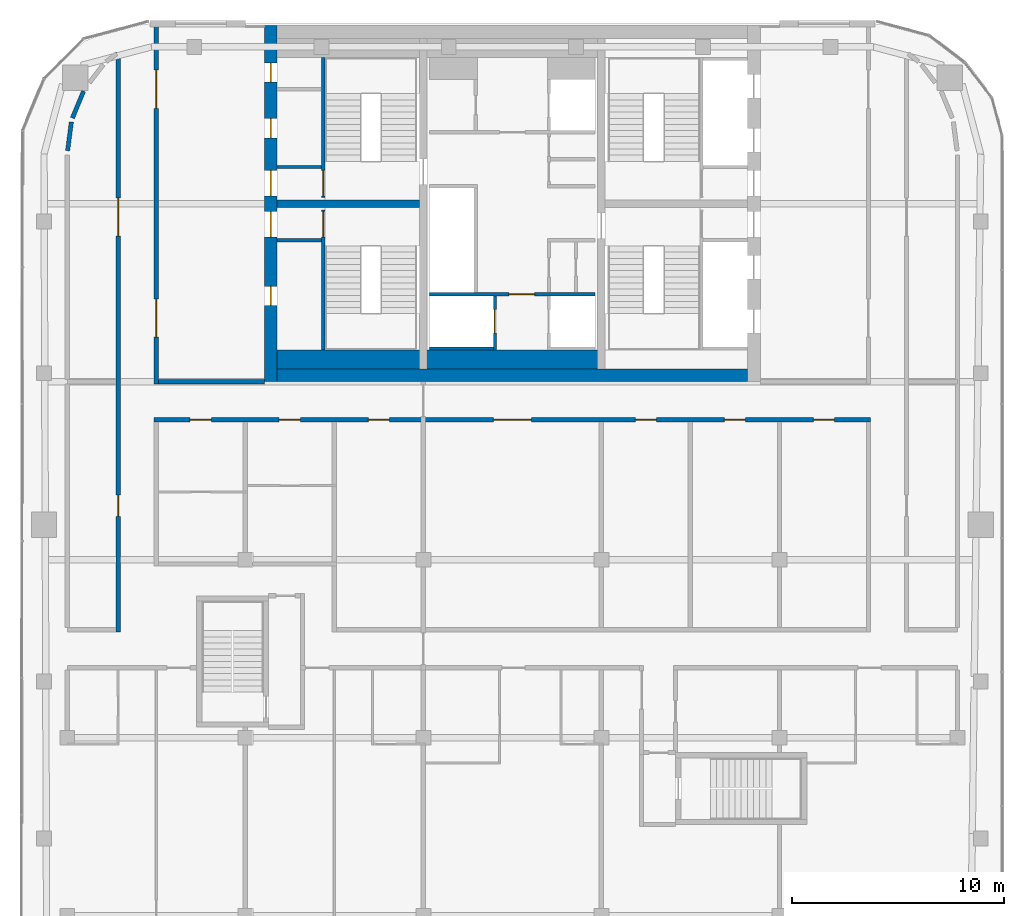
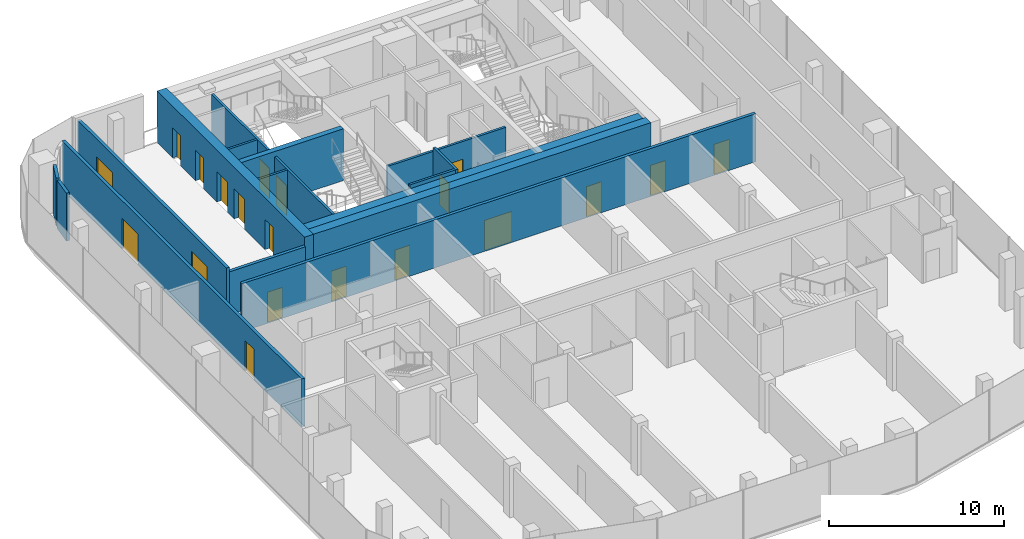
# One storey, part 15 of 19: 20 doors, 17 walls, 20 openings.
"""IFC4 building model written with IfcOpenShell, lengths in metres."""

from ifc_helpers import new_model, si_unit, direction, frame, frame_2d, origin, place, context, subcontext, project, spatial, rectangle, extrude, material, layer, layer_set, type_object, element, fill, save


model = new_model("IFC4")

# Units and contexts
model_context = context("Model", 3, precision=1e-05, world=origin(), true_north=direction((0.0, 1.0)))
body_context = subcontext(model_context, "Body", "Model", "MODEL_VIEW")
ifc_project = project(units=[si_unit("LENGTHUNIT", "METRE"), si_unit("AREAUNIT", "SQUARE_METRE"), si_unit("VOLUMEUNIT", "CUBIC_METRE"), si_unit("PLANEANGLEUNIT", "RADIAN"), si_unit("MASSUNIT", "GRAM", prefix="KILO")], contexts=[model_context])

# Site, building, storey
site_placement = place(None, origin())
site = spatial("IfcSite", under=ifc_project, at=site_placement, CompositionType="ELEMENT")
building_placement = place(site_placement, origin())
building = spatial("IfcBuilding", under=site, at=building_placement, Name="Marenta Gate Hotel Tower", CompositionType="ELEMENT")
storey_placement = place(building_placement, frame((0.0, 0.0, 274.10009765625)))
storey = spatial("IfcBuildingStorey", under=building, at=storey_placement, Name="L63", CompositionType="ELEMENT", Elevation=274.10009765625)

# Wall, openings, doors
ifc_material_1 = material(Name="Concrete blockwork", Category="masonry")
ifc_layer_1 = layer(ifc_material_1, 0.199951171875)
ifc_layer_set_1 = layer_set([ifc_layer_1], Name="Concrete blockwork")
wall_type_1 = type_object("IfcWallType", Name="Core boundary wall 200 REI 180", PredefinedType="PARTITIONING", material=ifc_layer_set_1)
wall_1_placement = place(storey_placement, frame((-16.800048828125, -0.10009765625, 0.0), z_axis=(0.0, 0.0, 1.0), x_axis=(0.0, 1.0, 0.0)))
wall_1 = element("IfcWall", 1, at=wall_1_placement, inside=storey, type_object=wall_type_1, Name="L63-CP-BW-W", PredefinedType="PARTITIONING", context=body_context, shape_type="SweptSolid", body=[
    extrude(rectangle(XDim=17.0, YDim=0.199951171875, at=frame_2d((8.5, 0.0))), origin(), (0.0, 0.0, 1.0), 3.33984375),
])
opening_1_placement = place(wall_1_placement, frame((2.199951171875, 0.0, 0.0)))
opening_1 = element("IfcOpeningElement", 2, at=opening_1_placement, cuts=wall_1, Name="Opening ED-Wa-B", PredefinedType="OPENING", context=body_context, shape_type="SweptSolid", body=[
    extrude(rectangle(XDim=1.800048828125, YDim=2.10009765625, at=frame_2d((0.89990234375, 1.050048828125))), frame((0.0, 0.10009765625, 0.0), z_axis=(0.0, -1.0, 0.0), x_axis=(1.0, 0.0, 0.0)), (0.0, 0.0, 1.0), 0.199951171875),
])
opening_2_placement = place(wall_1_placement, frame((13.0, 0.0, 0.0)))
opening_2 = element("IfcOpeningElement", 3, at=opening_2_placement, cuts=wall_1, Name="Opening ED-Wb-B", PredefinedType="OPENING", context=body_context, shape_type="SweptSolid", body=[
    extrude(rectangle(XDim=1.800048828125, YDim=2.10009765625, at=frame_2d((0.89990234375, 1.050048828125))), frame((0.0, 0.10009765625, 0.0), z_axis=(0.0, -1.0, 0.0), x_axis=(1.0, 0.0, 0.0)), (0.0, 0.0, 1.0), 0.199951171875),
])
ifc_material_2 = material(Name="Steel", Category="steel")
door_type_1 = type_object("IfcDoorType", Name="Core lobby entrance door 1800x2100 EI 60", OperationType="DOUBLE_DOOR_SINGLE_SWING", PredefinedType="DOOR", material=ifc_material_2)
door_1_placement = place(opening_1_placement, origin())
door_1 = element("IfcDoor", 4, at=door_1_placement, inside=storey, type_object=door_type_1, Name="ED-Wa-B", OperationType="DOUBLE_DOOR_SINGLE_SWING", OverallHeight=2.10009765625, OverallWidth=1.800048828125, PredefinedType="DOOR", context=body_context, shape_type="SweptSolid", body=[
    extrude(rectangle(XDim=1.800048828125, YDim=2.10009765625, at=frame_2d((0.89990234375, 1.050048828125))), frame((0.0, 0.02490234375, 0.0), z_axis=(0.0, -1.0, 0.0), x_axis=(1.0, 0.0, 0.0)), (0.0, 0.0, 1.0), 0.050048828125),
])
fill(opening_1, door_1)
door_2_placement = place(opening_2_placement, origin())
door_2 = element("IfcDoor", 5, at=door_2_placement, inside=storey, type_object=door_type_1, Name="ED-Wb-B", OperationType="DOUBLE_DOOR_SINGLE_SWING", OverallHeight=2.10009765625, OverallWidth=1.800048828125, PredefinedType="DOOR", context=body_context, shape_type="SweptSolid", body=[
    extrude(rectangle(XDim=1.800048828125, YDim=2.10009765625, at=frame_2d((0.89990234375, 1.050048828125))), frame((0.0, 0.02490234375, 0.0), z_axis=(0.0, -1.0, 0.0), x_axis=(1.0, 0.0, 0.0)), (0.0, 0.0, 1.0), 0.050048828125),
])
fill(opening_2, door_2)

# Walls
wall_2_placement = place(storey_placement, frame((-16.699951171875, 0.0, 0.0), z_axis=(0.0, 0.0, 1.0), x_axis=(1.0, 0.0, 0.0)))
element("IfcWall", 6, at=wall_2_placement, inside=storey, type_object=wall_type_1, Name="L63-CP-EW-WS", PredefinedType="PARTITIONING", context=body_context, shape_type="SweptSolid", body=[
    extrude(rectangle(XDim=5.0, YDim=0.199951171875, at=frame_2d((2.5, 0.0))), origin(), (0.0, 0.0, 1.0), 3.0),
])
ifc_material_3 = material(Name="Concrete C40", Category="concrete")
ifc_layer_2 = layer(ifc_material_3, 0.89990234375)
ifc_layer_set_2 = layer_set([ifc_layer_2], Name="Concrete C40")
wall_type_2 = type_object("IfcWallType", Name="Core lining wall 900 REI 180", PredefinedType="PARTITIONING", material=ifc_layer_set_2)
wall_3_placement = place(storey_placement, frame((-11.10009765625, 1.050048828125, 0.0), z_axis=(0.0, 0.0, 1.0), x_axis=(1.0, 0.0, 0.0)))
element("IfcWall", 7, at=wall_3_placement, inside=storey, type_object=wall_type_2, Name="L63-CP-LN-S", PredefinedType="PARTITIONING", context=body_context, shape_type="SweptSolid", body=[
    extrude(rectangle(XDim=22.2001953125, YDim=0.89990234375, at=frame_2d((11.10009765625, 0.0))), origin(), (0.0, 0.0, 1.0), 3.33984375),
])

# Wall, opening, door
ifc_material_4 = material(Name="Concrete blockwork", Category="masonry")
ifc_layer_3 = layer(ifc_material_4, 0.14990234375)
ifc_layer_set_3 = layer_set([ifc_layer_3], Name="Concrete blockwork")
wall_type_3 = type_object("IfcWallType", Name="Core lobby partition 150 REI 180", PredefinedType="PARTITIONING", material=ifc_layer_set_3)
wall_4_placement = place(storey_placement, frame((-3.89990234375, 4.125, 0.0), z_axis=(0.0, 0.0, 1.0), x_axis=(1.0, 0.0, 0.0)))
wall_4 = element("IfcWall", 8, at=wall_4_placement, inside=storey, type_object=wall_type_3, Name="L63-CP-CW-S", PredefinedType="PARTITIONING", context=body_context, shape_type="SweptSolid", body=[
    extrude(rectangle(XDim=7.7998046875, YDim=0.14990234375, at=frame_2d((3.89990234375, 0.0))), origin(), (0.0, 0.0, 1.0), 3.33984375),
])
opening_3_placement = place(wall_4_placement, frame((3.75, 0.0, 0.0)))
opening_3 = element("IfcOpeningElement", 9, at=opening_3_placement, cuts=wall_4, Name="Opening FD-FFS", PredefinedType="OPENING", context=body_context, shape_type="SweptSolid", body=[
    extrude(rectangle(XDim=1.199951171875, YDim=2.10009765625, at=frame_2d((0.60009765625, 1.050048828125))), frame((0.0, 0.074951171875, 0.0), z_axis=(0.0, -1.0, 0.0), x_axis=(1.0, 0.0, 0.0)), (0.0, 0.0, 1.0), 0.14990234375),
])
ifc_material_5 = material(Name="Steel", Category="steel")
door_type_2 = type_object("IfcDoorType", Name="Core lobby door 1200x2100 FD60", OperationType="SINGLE_SWING_LEFT", PredefinedType="DOOR", material=ifc_material_5)
door_3_placement = place(opening_3_placement, origin())
door_3 = element("IfcDoor", 10, at=door_3_placement, inside=storey, type_object=door_type_2, Name="FD-FFS", OperationType="SINGLE_SWING_LEFT", OverallHeight=2.10009765625, OverallWidth=1.199951171875, PredefinedType="DOOR", context=body_context, shape_type="SweptSolid", body=[
    extrude(rectangle(XDim=1.199951171875, YDim=2.10009765625, at=frame_2d((0.60009765625, 1.050048828125))), frame((0.0, 0.02490234375, 0.0), z_axis=(0.0, -1.0, 0.0), x_axis=(1.0, 0.0, 0.0)), (0.0, 0.0, 1.0), 0.050048828125),
])
fill(opening_3, door_3)

# Walls
ifc_material_6 = material(Name="Concrete blockwork", Category="masonry")
ifc_layer_4 = layer(ifc_material_6, 0.14990234375)
ifc_layer_set_4 = layer_set([ifc_layer_4], Name="Concrete blockwork")
wall_type_4 = type_object("IfcWallType", Name="Core room partition 150 REI 180", PredefinedType="PARTITIONING", material=ifc_layer_set_4)
for number, where, z_axis, x_axis, name in (
    (11, (-11.10009765625, 6.675048828125, 0.0), (0.0, 0.0, 1.0), (1.0, 0.0, 0.0), "L63-CP-SW-WS-2"),
    (12, (-11.10009765625, 10.125, 0.0), (0.0, 0.0, 1.0), (1.0, 0.0, 0.0), "L63-CP-SW-WN-2"),
):
    element("IfcWall", number, at=place(storey_placement, frame(where, z_axis=z_axis, x_axis=x_axis)), inside=storey, type_object=wall_type_4, Name=name, PredefinedType="PARTITIONING", context=body_context, shape_type="SweptSolid", body=[
        extrude(rectangle(XDim=2.10009765625, YDim=0.14990234375, at=frame_2d((1.050048828125, 0.0))), origin(), (0.0, 0.0, 1.0), 3.33984375),
    ])

# Wall, opening, door
ifc_material_7 = material(Name="Concrete C40", Category="concrete")
ifc_layer_5 = layer(ifc_material_7, 0.14990234375)
ifc_layer_set_5 = layer_set([ifc_layer_5], Name="Concrete C40")
wall_type_5 = type_object("IfcWallType", Name="Core shaft wall 150 REI 180", PredefinedType="SHEAR", material=ifc_layer_set_5)
wall_5_placement = place(storey_placement, frame((-0.824951171875, 1.5, 0.0), z_axis=(0.0, 0.0, 1.0), x_axis=(0.0, 1.0, 0.0)))
wall_5 = element("IfcWall", 13, at=wall_5_placement, inside=storey, type_object=wall_type_5, Name="L63-SHF-CW-W-ff", PredefinedType="SHEAR", context=body_context, shape_type="SweptSolid", body=[
    extrude(rectangle(XDim=2.550048828125, YDim=0.14990234375, at=frame_2d((1.27490234375, 0.0))), origin(), (0.0, 0.0, 1.0), 3.599853515625),
])
opening_4_placement = place(wall_5_placement, frame((0.800048828125, 0.0, 0.0)))
opening_4 = element("IfcOpeningElement", 14, at=opening_4_placement, cuts=wall_5, Name="Opening LD-FF1", PredefinedType="OPENING", context=body_context, shape_type="SweptSolid", body=[
    extrude(rectangle(XDim=1.10009765625, YDim=2.10009765625, at=frame_2d((0.550048828125, 1.050048828125))), frame((0.0, 0.074951171875, 0.0), z_axis=(0.0, -1.0, 0.0), x_axis=(1.0, 0.0, 0.0)), (0.0, 0.0, 1.0), 0.14990234375),
])
ifc_material_8 = material(Name="Steel", Category="steel")
door_type_3 = type_object("IfcDoorType", Name="Core lift landing door 1100x2100 E 60", OperationType="SLIDING_TO_LEFT", PredefinedType="DOOR", material=ifc_material_8)
door_4_placement = place(opening_4_placement, origin())
door_4 = element("IfcDoor", 15, at=door_4_placement, inside=storey, type_object=door_type_3, Name="LD-FF1", OperationType="SLIDING_TO_LEFT", OverallHeight=2.10009765625, OverallWidth=1.10009765625, PredefinedType="DOOR", context=body_context, shape_type="SweptSolid", body=[
    extrude(rectangle(XDim=1.10009765625, YDim=2.10009765625, at=frame_2d((0.550048828125, 1.050048828125))), frame((0.0, 0.02490234375, 0.0), z_axis=(0.0, -1.0, 0.0), x_axis=(1.0, 0.0, 0.0)), (0.0, 0.0, 1.0), 0.050048828125),
])
fill(opening_4, door_4)

# Wall
wall_6_placement = place(storey_placement, frame((-3.89990234375, 1.574951171875, 0.0), z_axis=(0.0, 0.0, 1.0), x_axis=(1.0, 0.0, 0.0)))
element("IfcWall", 16, at=wall_6_placement, inside=storey, type_object=wall_type_5, Name="L63-SHF-CW-W-ffs", PredefinedType="SHEAR", context=body_context, shape_type="SweptSolid", body=[
    extrude(rectangle(XDim=3.0, YDim=0.14990234375, at=frame_2d((1.5, 0.0))), origin(), (0.0, 0.0, 1.0), 3.599853515625),
])

# Wall, opening, door
ifc_material_9 = material(Name="Concrete C40", Category="concrete")
ifc_layer_6 = layer(ifc_material_9, 0.14990234375)
ifc_layer_set_6 = layer_set([ifc_layer_6], Name="Concrete C40")
wall_type_6 = type_object("IfcWallType", Name="Core stair enclosure wall 150 REI 180", PredefinedType="SHEAR", material=ifc_layer_set_6)
wall_7_placement = place(storey_placement, frame((-8.925048828125, 1.5, 0.0), z_axis=(0.0, 0.0, 1.0), x_axis=(0.0, 1.0, 0.0)))
wall_7 = element("IfcWall", 17, at=wall_7_placement, inside=storey, type_object=wall_type_6, Name="L63-SHF-SW-WS-3", PredefinedType="SHEAR", context=body_context, shape_type="SweptSolid", body=[
    extrude(rectangle(XDim=6.60009765625, YDim=0.14990234375, at=frame_2d((3.300048828125, 0.0))), origin(), (0.0, 0.0, 1.0), 3.33984375),
])
opening_5_placement = place(wall_7_placement, frame((5.324951171875, 0.0, 0.0)))
opening_5 = element("IfcOpeningElement", 18, at=opening_5_placement, cuts=wall_7, Name="Opening SD-WS", PredefinedType="OPENING", context=body_context, shape_type="SweptSolid", body=[
    extrude(rectangle(XDim=1.199951171875, YDim=2.10009765625, at=frame_2d((0.60009765625, 1.050048828125))), frame((0.0, 0.074951171875, 0.0), z_axis=(0.0, -1.0, 0.0), x_axis=(1.0, 0.0, 0.0)), (0.0, 0.0, 1.0), 0.14990234375),
])
ifc_material_10 = material(Name="Steel", Category="steel")
door_type_4 = type_object("IfcDoorType", Name="Core stair door 1200x2100 FD60", OperationType="SINGLE_SWING_LEFT", PredefinedType="DOOR", material=ifc_material_10)
door_5_placement = place(opening_5_placement, origin())
door_5 = element("IfcDoor", 19, at=door_5_placement, inside=storey, type_object=door_type_4, Name="SD-WS", OperationType="SINGLE_SWING_LEFT", OverallHeight=2.10009765625, OverallWidth=1.199951171875, PredefinedType="DOOR", context=body_context, shape_type="SweptSolid", body=[
    extrude(rectangle(XDim=1.199951171875, YDim=2.10009765625, at=frame_2d((0.60009765625, 1.050048828125))), frame((0.0, 0.02490234375, 0.0), z_axis=(0.0, -1.0, 0.0), x_axis=(1.0, 0.0, 0.0)), (0.0, 0.0, 1.0), 0.050048828125),
])
fill(opening_5, door_5)

wall_8_placement = place(storey_placement, frame((-8.925048828125, 8.699951171875, 0.0), z_axis=(0.0, 0.0, 1.0), x_axis=(0.0, 1.0, 0.0)))
wall_8 = element("IfcWall", 20, at=wall_8_placement, inside=storey, type_object=wall_type_6, Name="L63-SHF-SW-WN-3", PredefinedType="SHEAR", context=body_context, shape_type="SweptSolid", body=[
    extrude(rectangle(XDim=6.60009765625, YDim=0.14990234375, at=frame_2d((3.300048828125, 0.0))), origin(), (0.0, 0.0, 1.0), 3.33984375),
])
opening_6_placement = place(wall_8_placement, frame((0.074951171875, 0.0, 0.0)))
opening_6 = element("IfcOpeningElement", 21, at=opening_6_placement, cuts=wall_8, Name="Opening SD-WN", PredefinedType="OPENING", context=body_context, shape_type="SweptSolid", body=[
    extrude(rectangle(XDim=1.199951171875, YDim=2.10009765625, at=frame_2d((0.60009765625, 1.050048828125))), frame((0.0, 0.074951171875, 0.0), z_axis=(0.0, -1.0, 0.0), x_axis=(1.0, 0.0, 0.0)), (0.0, 0.0, 1.0), 0.14990234375),
])
door_6_placement = place(opening_6_placement, origin())
door_6 = element("IfcDoor", 22, at=door_6_placement, inside=storey, type_object=door_type_4, Name="SD-WN", OperationType="SINGLE_SWING_LEFT", OverallHeight=2.10009765625, OverallWidth=1.199951171875, PredefinedType="DOOR", context=body_context, shape_type="SweptSolid", body=[
    extrude(rectangle(XDim=1.199951171875, YDim=2.10009765625, at=frame_2d((0.60009765625, 1.050048828125))), frame((0.0, 0.02490234375, 0.0), z_axis=(0.0, -1.0, 0.0), x_axis=(1.0, 0.0, 0.0)), (0.0, 0.0, 1.0), 0.050048828125),
])
fill(opening_6, door_6)

# Wall, openings, doors
ifc_material_11 = material(Name="Concrete C50", Category="concrete")
ifc_layer_7 = layer(ifc_material_11, 0.60009765625)
ifc_layer_set_7 = layer_set([ifc_layer_7], Name="Concrete C50")
wall_type_7 = type_object("IfcWallType", Name="Core wall 600 C50", PredefinedType="SHEAR", material=ifc_layer_set_7)
wall_9_placement = place(storey_placement, frame((-11.39990234375, 0.0, 0.0), z_axis=(0.0, 0.0, 1.0), x_axis=(0.0, 1.0, 0.0)))
wall_9 = element("IfcWall", 23, at=wall_9_placement, inside=storey, type_object=wall_type_7, Name="L63-CORE-W", PredefinedType="SHEAR", context=body_context, shape_type="SweptSolid", body=[
    extrude(rectangle(XDim=16.800048828125, YDim=0.60009765625, at=frame_2d((8.39990234375, 0.0))), origin(), (0.0, 0.0, 1.0), 3.599853515625),
])
opening_7_placement = place(wall_9_placement, frame((3.60009765625, 0.0, 0.0)))
opening_7 = element("IfcOpeningElement", 24, at=opening_7_placement, cuts=wall_9, Name="Opening RD-WS-1", PredefinedType="OPENING", context=body_context, shape_type="SweptSolid", body=[
    extrude(rectangle(XDim=0.89990234375, YDim=2.10009765625, at=frame_2d((0.449951171875, 1.050048828125))), frame((0.0, 0.300048828125, 0.0), z_axis=(0.0, -1.0, 0.0), x_axis=(1.0, 0.0, 0.0)), (0.0, 0.0, 1.0), 0.60009765625),
])
opening_8_placement = place(wall_9_placement, frame((6.824951171875, 0.0, 0.0)))
opening_8 = element("IfcOpeningElement", 25, at=opening_8_placement, cuts=wall_9, Name="Opening PD-WS", PredefinedType="OPENING", context=body_context, shape_type="SweptSolid", body=[
    extrude(rectangle(XDim=1.199951171875, YDim=2.10009765625, at=frame_2d((0.60009765625, 1.050048828125))), frame((0.0, 0.300048828125, 0.0), z_axis=(0.0, -1.0, 0.0), x_axis=(1.0, 0.0, 0.0)), (0.0, 0.0, 1.0), 0.60009765625),
])
opening_9_placement = place(wall_9_placement, frame((14.137451171875, 0.0, 0.0)))
opening_9 = element("IfcOpeningElement", 26, at=opening_9_placement, cuts=wall_9, Name="Opening RD-WN-1", PredefinedType="OPENING", context=body_context, shape_type="SweptSolid", body=[
    extrude(rectangle(XDim=0.89990234375, YDim=2.10009765625, at=frame_2d((0.449951171875, 1.050048828125))), frame((0.0, 0.300048828125, 0.0), z_axis=(0.0, -1.0, 0.0), x_axis=(1.0, 0.0, 0.0)), (0.0, 0.0, 1.0), 0.60009765625),
])
opening_10_placement = place(wall_9_placement, frame((11.512451171875, 0.0, 0.0)))
opening_10 = element("IfcOpeningElement", 27, at=opening_10_placement, cuts=wall_9, Name="Opening RD-WN-2", PredefinedType="OPENING", context=body_context, shape_type="SweptSolid", body=[
    extrude(rectangle(XDim=0.89990234375, YDim=2.10009765625, at=frame_2d((0.449951171875, 1.050048828125))), frame((0.0, 0.300048828125, 0.0), z_axis=(0.0, -1.0, 0.0), x_axis=(1.0, 0.0, 0.0)), (0.0, 0.0, 1.0), 0.60009765625),
])
opening_11_placement = place(wall_9_placement, frame((8.77490234375, 0.0, 0.0)))
opening_11 = element("IfcOpeningElement", 28, at=opening_11_placement, cuts=wall_9, Name="Opening PD-WN", PredefinedType="OPENING", context=body_context, shape_type="SweptSolid", body=[
    extrude(rectangle(XDim=1.199951171875, YDim=2.10009765625, at=frame_2d((0.60009765625, 1.050048828125))), frame((0.0, 0.300048828125, 0.0), z_axis=(0.0, -1.0, 0.0), x_axis=(1.0, 0.0, 0.0)), (0.0, 0.0, 1.0), 0.60009765625),
])
door_7_placement = place(opening_8_placement, origin())
door_7 = element("IfcDoor", 29, at=door_7_placement, inside=storey, type_object=door_type_2, Name="PD-WS", OperationType="SINGLE_SWING_LEFT", OverallHeight=2.10009765625, OverallWidth=1.199951171875, PredefinedType="DOOR", context=body_context, shape_type="SweptSolid", body=[
    extrude(rectangle(XDim=1.199951171875, YDim=2.10009765625, at=frame_2d((0.60009765625, 1.050048828125))), frame((0.0, 0.02490234375, 0.0), z_axis=(0.0, -1.0, 0.0), x_axis=(1.0, 0.0, 0.0)), (0.0, 0.0, 1.0), 0.050048828125),
])
fill(opening_8, door_7)
door_8_placement = place(opening_11_placement, origin())
door_8 = element("IfcDoor", 30, at=door_8_placement, inside=storey, type_object=door_type_2, Name="PD-WN", OperationType="SINGLE_SWING_LEFT", OverallHeight=2.10009765625, OverallWidth=1.199951171875, PredefinedType="DOOR", context=body_context, shape_type="SweptSolid", body=[
    extrude(rectangle(XDim=1.199951171875, YDim=2.10009765625, at=frame_2d((0.60009765625, 1.050048828125))), frame((0.0, 0.02490234375, 0.0), z_axis=(0.0, -1.0, 0.0), x_axis=(1.0, 0.0, 0.0)), (0.0, 0.0, 1.0), 0.050048828125),
])
fill(opening_11, door_8)
ifc_material_12 = material(Name="Steel", Category="steel")
door_type_5 = type_object("IfcDoorType", Name="Core service room door 900x2100 FD30S", OperationType="SINGLE_SWING_LEFT", PredefinedType="DOOR", material=ifc_material_12)
door_9_placement = place(opening_7_placement, origin())
door_9 = element("IfcDoor", 31, at=door_9_placement, inside=storey, type_object=door_type_5, Name="RD-WS-1", OperationType="SINGLE_SWING_LEFT", OverallHeight=2.10009765625, OverallWidth=0.89990234375, PredefinedType="DOOR", context=body_context, shape_type="SweptSolid", body=[
    extrude(rectangle(XDim=0.89990234375, YDim=2.10009765625, at=frame_2d((0.449951171875, 1.050048828125))), frame((0.0, 0.02490234375, 0.0), z_axis=(0.0, -1.0, 0.0), x_axis=(1.0, 0.0, 0.0)), (0.0, 0.0, 1.0), 0.050048828125),
])
fill(opening_7, door_9)
door_10_placement = place(opening_9_placement, origin())
door_10 = element("IfcDoor", 32, at=door_10_placement, inside=storey, type_object=door_type_5, Name="RD-WN-1", OperationType="SINGLE_SWING_LEFT", OverallHeight=2.10009765625, OverallWidth=0.89990234375, PredefinedType="DOOR", context=body_context, shape_type="SweptSolid", body=[
    extrude(rectangle(XDim=0.89990234375, YDim=2.10009765625, at=frame_2d((0.449951171875, 1.050048828125))), frame((0.0, 0.02490234375, 0.0), z_axis=(0.0, -1.0, 0.0), x_axis=(1.0, 0.0, 0.0)), (0.0, 0.0, 1.0), 0.050048828125),
])
fill(opening_9, door_10)
door_11_placement = place(opening_10_placement, origin())
door_11 = element("IfcDoor", 33, at=door_11_placement, inside=storey, type_object=door_type_5, Name="RD-WN-2", OperationType="SINGLE_SWING_LEFT", OverallHeight=2.10009765625, OverallWidth=0.89990234375, PredefinedType="DOOR", context=body_context, shape_type="SweptSolid", body=[
    extrude(rectangle(XDim=0.89990234375, YDim=2.10009765625, at=frame_2d((0.449951171875, 1.050048828125))), frame((0.0, 0.02490234375, 0.0), z_axis=(0.0, -1.0, 0.0), x_axis=(1.0, 0.0, 0.0)), (0.0, 0.0, 1.0), 0.050048828125),
])
fill(opening_10, door_11)

# Walls
wall_10_placement = place(storey_placement, frame((-11.10009765625, 0.300048828125, 0.0), z_axis=(0.0, 0.0, 1.0), x_axis=(1.0, 0.0, 0.0)))
element("IfcWall", 34, at=wall_10_placement, inside=storey, type_object=wall_type_7, Name="L63-CORE-S", PredefinedType="SHEAR", context=body_context, shape_type="SweptSolid", body=[
    extrude(rectangle(XDim=22.2001953125, YDim=0.60009765625, at=frame_2d((11.10009765625, 0.0))), origin(), (0.0, 0.0, 1.0), 3.599853515625),
])
ifc_material_13 = material(Name="Concrete C50", Category="concrete")
ifc_layer_8 = layer(ifc_material_13, 0.35009765625)
ifc_layer_set_8 = layer_set([ifc_layer_8], Name="Concrete C50")
wall_type_8 = type_object("IfcWallType", Name="Core web 350 C50", PredefinedType="SHEAR", material=ifc_layer_set_8)
wall_11_placement = place(storey_placement, frame((-11.10009765625, 8.39990234375, 0.0), z_axis=(0.0, 0.0, 1.0), x_axis=(1.0, 0.0, 0.0)))
element("IfcWall", 35, at=wall_11_placement, inside=storey, type_object=wall_type_8, Name="L63-CORE-W3", PredefinedType="SHEAR", context=body_context, shape_type="SweptSolid", body=[
    extrude(rectangle(XDim=6.72509765625, YDim=0.35009765625, at=frame_2d((3.362548828125, 0.0))), origin(), (0.0, 0.0, 1.0), 3.599853515625),
])

# Wall, openings, doors
ifc_material_14 = material(Name="Concrete blockwork", Category="masonry")
ifc_layer_9 = layer(ifc_material_14, 0.199951171875)
ifc_layer_set_9 = layer_set([ifc_layer_9], Name="Concrete blockwork")
wall_type_9 = type_object("IfcWallType", Name="Room corridor wall 200 EI 120", PredefinedType="PARTITIONING", material=ifc_layer_set_9)
wall_12_placement = place(storey_placement, frame((-16.89990234375, -1.800048828125, 0.0), z_axis=(0.0, 0.0, 1.0), x_axis=(1.0, 0.0, 0.0)))
wall_12 = element("IfcWall", 36, at=wall_12_placement, inside=storey, type_object=wall_type_9, Name="L63-PTN-W036", PredefinedType="PARTITIONING", context=body_context, shape_type="SweptSolid", body=[
    extrude(rectangle(XDim=33.7998046875, YDim=0.199951171875, at=frame_2d((16.89990234375, 0.0))), origin(), (0.0, 0.0, 1.0), 3.33984375),
])
opening_12_placement = place(wall_12_placement, frame((1.699951171875, 0.0, 0.0)))
opening_12 = element("IfcOpeningElement", 37, at=opening_12_placement, cuts=wall_12, Name="Opening G23-01", PredefinedType="OPENING", context=body_context, shape_type="SweptSolid", body=[
    extrude(rectangle(XDim=1.0, YDim=2.10009765625, at=frame_2d((0.5, 1.050048828125))), frame((0.0, 0.10009765625, 0.0), z_axis=(0.0, -1.0, 0.0), x_axis=(1.0, 0.0, 0.0)), (0.0, 0.0, 1.0), 0.199951171875),
])
opening_13_placement = place(wall_12_placement, frame((5.89990234375, 0.0, 0.0)))
opening_13 = element("IfcOpeningElement", 38, at=opening_13_placement, cuts=wall_12, Name="Opening G23-03", PredefinedType="OPENING", context=body_context, shape_type="SweptSolid", body=[
    extrude(rectangle(XDim=1.0, YDim=2.10009765625, at=frame_2d((0.5, 1.050048828125))), frame((0.0, 0.10009765625, 0.0), z_axis=(0.0, -1.0, 0.0), x_axis=(1.0, 0.0, 0.0)), (0.0, 0.0, 1.0), 0.199951171875),
])
opening_14_placement = place(wall_12_placement, frame((10.10009765625, 0.0, 0.0)))
opening_14 = element("IfcOpeningElement", 39, at=opening_14_placement, cuts=wall_12, Name="Opening G23-05", PredefinedType="OPENING", context=body_context, shape_type="SweptSolid", body=[
    extrude(rectangle(XDim=1.0, YDim=2.10009765625, at=frame_2d((0.5, 1.050048828125))), frame((0.0, 0.10009765625, 0.0), z_axis=(0.0, -1.0, 0.0), x_axis=(1.0, 0.0, 0.0)), (0.0, 0.0, 1.0), 0.199951171875),
])
opening_15_placement = place(wall_12_placement, frame((16.0, 0.0, 0.0)))
opening_15 = element("IfcOpeningElement", 40, at=opening_15_placement, cuts=wall_12, Name="Opening G23-06", PredefinedType="OPENING", context=body_context, shape_type="SweptSolid", body=[
    extrude(rectangle(XDim=1.800048828125, YDim=2.10009765625, at=frame_2d((0.89990234375, 1.050048828125))), frame((0.0, 0.10009765625, 0.0), z_axis=(0.0, -1.0, 0.0), x_axis=(1.0, 0.0, 0.0)), (0.0, 0.0, 1.0), 0.199951171875),
])
opening_16_placement = place(wall_12_placement, frame((22.699951171875, 0.0, 0.0)))
opening_16 = element("IfcOpeningElement", 41, at=opening_16_placement, cuts=wall_12, Name="Opening G23-07", PredefinedType="OPENING", context=body_context, shape_type="SweptSolid", body=[
    extrude(rectangle(XDim=1.0, YDim=2.10009765625, at=frame_2d((0.5, 1.050048828125))), frame((0.0, 0.10009765625, 0.0), z_axis=(0.0, -1.0, 0.0), x_axis=(1.0, 0.0, 0.0)), (0.0, 0.0, 1.0), 0.199951171875),
])
opening_17_placement = place(wall_12_placement, frame((26.89990234375, 0.0, 0.0)))
opening_17 = element("IfcOpeningElement", 42, at=opening_17_placement, cuts=wall_12, Name="Opening G23-08", PredefinedType="OPENING", context=body_context, shape_type="SweptSolid", body=[
    extrude(rectangle(XDim=1.0, YDim=2.10009765625, at=frame_2d((0.5, 1.050048828125))), frame((0.0, 0.10009765625, 0.0), z_axis=(0.0, -1.0, 0.0), x_axis=(1.0, 0.0, 0.0)), (0.0, 0.0, 1.0), 0.199951171875),
])
opening_18_placement = place(wall_12_placement, frame((31.10009765625, 0.0, 0.0)))
opening_18 = element("IfcOpeningElement", 43, at=opening_18_placement, cuts=wall_12, Name="Opening G23-09", PredefinedType="OPENING", context=body_context, shape_type="SweptSolid", body=[
    extrude(rectangle(XDim=1.0, YDim=2.10009765625, at=frame_2d((0.5, 1.050048828125))), frame((0.0, 0.10009765625, 0.0), z_axis=(0.0, -1.0, 0.0), x_axis=(1.0, 0.0, 0.0)), (0.0, 0.0, 1.0), 0.199951171875),
])
ifc_material_15 = material(Name="Timber door leaf", Category="wood")
door_type_6 = type_object("IfcDoorType", Name="Room amenity door 1000x2100 EI 60", OperationType="NOTDEFINED", PredefinedType="DOOR", material=ifc_material_15)
door_12_placement = place(opening_14_placement, origin())
door_12 = element("IfcDoor", 44, at=door_12_placement, inside=storey, type_object=door_type_6, Name="L63-PD-D005", OperationType="SINGLE_SWING_RIGHT", OverallHeight=2.10009765625, OverallWidth=1.0, PredefinedType="DOOR", context=body_context, shape_type="SweptSolid", body=[
    extrude(rectangle(XDim=1.0, YDim=2.10009765625, at=frame_2d((0.5, 1.050048828125))), frame((0.0, 0.02490234375, 0.0), z_axis=(0.0, -1.0, 0.0), x_axis=(1.0, 0.0, 0.0)), (0.0, 0.0, 1.0), 0.050048828125),
])
fill(opening_14, door_12)
door_13_placement = place(opening_16_placement, origin())
door_13 = element("IfcDoor", 45, at=door_13_placement, inside=storey, type_object=door_type_6, Name="L63-PD-D007", OperationType="SINGLE_SWING_RIGHT", OverallHeight=2.10009765625, OverallWidth=1.0, PredefinedType="DOOR", context=body_context, shape_type="SweptSolid", body=[
    extrude(rectangle(XDim=1.0, YDim=2.10009765625, at=frame_2d((0.5, 1.050048828125))), frame((0.0, 0.02490234375, 0.0), z_axis=(0.0, -1.0, 0.0), x_axis=(1.0, 0.0, 0.0)), (0.0, 0.0, 1.0), 0.050048828125),
])
fill(opening_16, door_13)
door_14_placement = place(opening_17_placement, origin())
door_14 = element("IfcDoor", 46, at=door_14_placement, inside=storey, type_object=door_type_6, Name="L63-PD-D008", OperationType="SINGLE_SWING_LEFT", OverallHeight=2.10009765625, OverallWidth=1.0, PredefinedType="DOOR", context=body_context, shape_type="SweptSolid", body=[
    extrude(rectangle(XDim=1.0, YDim=2.10009765625, at=frame_2d((0.5, 1.050048828125))), frame((0.0, 0.02490234375, 0.0), z_axis=(0.0, -1.0, 0.0), x_axis=(1.0, 0.0, 0.0)), (0.0, 0.0, 1.0), 0.050048828125),
])
fill(opening_17, door_14)
door_15_placement = place(opening_18_placement, origin())
door_15 = element("IfcDoor", 47, at=door_15_placement, inside=storey, type_object=door_type_6, Name="L63-PD-D009", OperationType="SINGLE_SWING_RIGHT", OverallHeight=2.10009765625, OverallWidth=1.0, PredefinedType="DOOR", context=body_context, shape_type="SweptSolid", body=[
    extrude(rectangle(XDim=1.0, YDim=2.10009765625, at=frame_2d((0.5, 1.050048828125))), frame((0.0, 0.02490234375, 0.0), z_axis=(0.0, -1.0, 0.0), x_axis=(1.0, 0.0, 0.0)), (0.0, 0.0, 1.0), 0.050048828125),
])
fill(opening_18, door_15)
ifc_material_16 = material(Name="Timber door leaf", Category="wood")
door_type_7 = type_object("IfcDoorType", Name="Room amenity door 1800x2100 EI 60", OperationType="DOUBLE_DOOR_SINGLE_SWING", PredefinedType="DOOR", material=ifc_material_16)
door_16_placement = place(opening_15_placement, origin())
door_16 = element("IfcDoor", 48, at=door_16_placement, inside=storey, type_object=door_type_7, Name="L63-PD-D006", OperationType="DOUBLE_DOOR_SINGLE_SWING", OverallHeight=2.10009765625, OverallWidth=1.800048828125, PredefinedType="DOOR", context=body_context, shape_type="SweptSolid", body=[
    extrude(rectangle(XDim=1.800048828125, YDim=2.10009765625, at=frame_2d((0.89990234375, 1.050048828125))), frame((0.0, 0.02490234375, 0.0), z_axis=(0.0, -1.0, 0.0), x_axis=(1.0, 0.0, 0.0)), (0.0, 0.0, 1.0), 0.050048828125),
])
fill(opening_15, door_16)
ifc_material_17 = material(Name="Hollow steel door set", Category="steel")
door_type_8 = type_object("IfcDoorType", Name="Room service door 1000x2100 EI 60", OperationType="NOTDEFINED", PredefinedType="DOOR", material=ifc_material_17)
door_17_placement = place(opening_12_placement, origin())
door_17 = element("IfcDoor", 49, at=door_17_placement, inside=storey, type_object=door_type_8, Name="L63-PD-D001", OperationType="SINGLE_SWING_LEFT", OverallHeight=2.10009765625, OverallWidth=1.0, PredefinedType="DOOR", context=body_context, shape_type="SweptSolid", body=[
    extrude(rectangle(XDim=1.0, YDim=2.10009765625, at=frame_2d((0.5, 1.050048828125))), frame((0.0, 0.02490234375, 0.0), z_axis=(0.0, -1.0, 0.0), x_axis=(1.0, 0.0, 0.0)), (0.0, 0.0, 1.0), 0.050048828125),
])
fill(opening_12, door_17)
door_18_placement = place(opening_13_placement, origin())
door_18 = element("IfcDoor", 50, at=door_18_placement, inside=storey, type_object=door_type_8, Name="L63-PD-D003", OperationType="SINGLE_SWING_LEFT", OverallHeight=2.10009765625, OverallWidth=1.0, PredefinedType="DOOR", context=body_context, shape_type="SweptSolid", body=[
    extrude(rectangle(XDim=1.0, YDim=2.10009765625, at=frame_2d((0.5, 1.050048828125))), frame((0.0, 0.02490234375, 0.0), z_axis=(0.0, -1.0, 0.0), x_axis=(1.0, 0.0, 0.0)), (0.0, 0.0, 1.0), 0.050048828125),
])
fill(opening_13, door_18)

ifc_material_18 = material(Name="Gypsum board on steel stud", Category="steel")
ifc_layer_10 = layer(ifc_material_18, 0.199951171875)
ifc_layer_set_10 = layer_set([ifc_layer_10], Name="Gypsum board on steel stud")
wall_type_10 = type_object("IfcWallType", Name="Room corridor wall 200 EI 60", PredefinedType="PARTITIONING", material=ifc_layer_set_10)
wall_13_placement = place(storey_placement, frame((-18.60009765625, -11.800048828125, 0.0), z_axis=(0.0, 0.0, 1.0), x_axis=(0.0, 1.0, 0.0)))
wall_13 = element("IfcWall", 51, at=wall_13_placement, inside=storey, type_object=wall_type_10, Name="L63-PTN-W053", PredefinedType="PARTITIONING", context=body_context, shape_type="SweptSolid", body=[
    extrude(rectangle(XDim=27.3359375, YDim=0.199951171875, at=frame_2d((13.66796875, 0.0))), origin(), (0.0, 0.0, 1.0), 3.33984375),
])
opening_19_placement = place(wall_13_placement, frame((18.66796875, 0.0, 0.0)))
opening_19 = element("IfcOpeningElement", 52, at=opening_19_placement, cuts=wall_13, Name="Opening G23-24", PredefinedType="OPENING", context=body_context, shape_type="SweptSolid", body=[
    extrude(rectangle(XDim=1.800048828125, YDim=2.10009765625, at=frame_2d((0.89990234375, 1.050048828125))), frame((0.0, 0.10009765625, 0.0), z_axis=(0.0, -1.0, 0.0), x_axis=(1.0, 0.0, 0.0)), (0.0, 0.0, 1.0), 0.199951171875),
])
opening_20_placement = place(wall_13_placement, frame((5.449951171875, 0.0, 0.0)))
opening_20 = element("IfcOpeningElement", 53, at=opening_20_placement, cuts=wall_13, Name="Opening G23-27", PredefinedType="OPENING", context=body_context, shape_type="SweptSolid", body=[
    extrude(rectangle(XDim=1.0, YDim=2.10009765625, at=frame_2d((0.5, 1.050048828125))), frame((0.0, 0.10009765625, 0.0), z_axis=(0.0, -1.0, 0.0), x_axis=(1.0, 0.0, 0.0)), (0.0, 0.0, 1.0), 0.199951171875),
])
ifc_material_19 = material(Name="Timber door leaf", Category="wood")
door_type_9 = type_object("IfcDoorType", Name="Room amenity door 1000x2100 EI 30", OperationType="NOTDEFINED", PredefinedType="DOOR", material=ifc_material_19)
door_19_placement = place(opening_20_placement, origin())
door_19 = element("IfcDoor", 54, at=door_19_placement, inside=storey, type_object=door_type_9, Name="L63-PD-D027", OperationType="SINGLE_SWING_LEFT", OverallHeight=2.10009765625, OverallWidth=1.0, PredefinedType="DOOR", context=body_context, shape_type="SweptSolid", body=[
    extrude(rectangle(XDim=1.0, YDim=2.10009765625, at=frame_2d((0.5, 1.050048828125))), frame((0.0, 0.02490234375, 0.0), z_axis=(0.0, -1.0, 0.0), x_axis=(1.0, 0.0, 0.0)), (0.0, 0.0, 1.0), 0.050048828125),
])
fill(opening_20, door_19)
ifc_material_20 = material(Name="Timber door leaf", Category="wood")
door_type_10 = type_object("IfcDoorType", Name="Room amenity door 1800x2100 EI 30", OperationType="DOUBLE_DOOR_SINGLE_SWING", PredefinedType="DOOR", material=ifc_material_20)
door_20_placement = place(opening_19_placement, origin())
door_20 = element("IfcDoor", 55, at=door_20_placement, inside=storey, type_object=door_type_10, Name="L63-PD-D024", OperationType="DOUBLE_DOOR_SINGLE_SWING", OverallHeight=2.10009765625, OverallWidth=1.800048828125, PredefinedType="DOOR", context=body_context, shape_type="SweptSolid", body=[
    extrude(rectangle(XDim=1.800048828125, YDim=2.10009765625, at=frame_2d((0.89990234375, 1.050048828125))), frame((0.0, 0.02490234375, 0.0), z_axis=(0.0, -1.0, 0.0), x_axis=(1.0, 0.0, 0.0)), (0.0, 0.0, 1.0), 0.050048828125),
])
fill(opening_19, door_20)

# Walls
ifc_material_21 = material(Name="Gypsum board on steel stud", Category="steel")
ifc_layer_11 = layer(ifc_material_21, 0.199951171875)
ifc_layer_set_11 = layer_set([ifc_layer_11], Name="Gypsum board on steel stud")
wall_type_11 = type_object("IfcWallType", Name="Room party wall 200 EI 60", PredefinedType="PARTITIONING", material=ifc_layer_set_11)
wall_14_placement = place(storey_placement, frame((-20.987060546875, 10.89697265625, 0.0), z_axis=(0.0, 0.0, 1.0), x_axis=(0.129841713905, 0.991534734303, 0.0)))
element("IfcWall", 56, at=wall_14_placement, inside=storey, type_object=wall_type_11, Name="L63-PTN-W058", PredefinedType="PARTITIONING", context=body_context, shape_type="SweptSolid", body=[
    extrude(rectangle(XDim=1.370849609375, YDim=0.199951171875, at=frame_2d((0.685546875, 0.0))), origin(), (0.0, 0.0, 1.0), 3.33984375),
])
wall_15_placement = place(storey_placement, frame((-20.759033203125, 12.443115234375, 0.0), z_axis=(0.0, 0.0, 1.0), x_axis=(0.383540942064, 0.923523873953, 0.0)))
element("IfcWall", 57, at=wall_15_placement, inside=storey, type_object=wall_type_11, Name="L63-PTN-W062", PredefinedType="PARTITIONING", context=body_context, shape_type="SweptSolid", body=[
    extrude(rectangle(XDim=1.371826171875, YDim=0.199951171875, at=frame_2d((0.68603515625, 0.0))), origin(), (0.0, 0.0, 1.0), 3.33984375),
])

save(model, "model.ifc")
